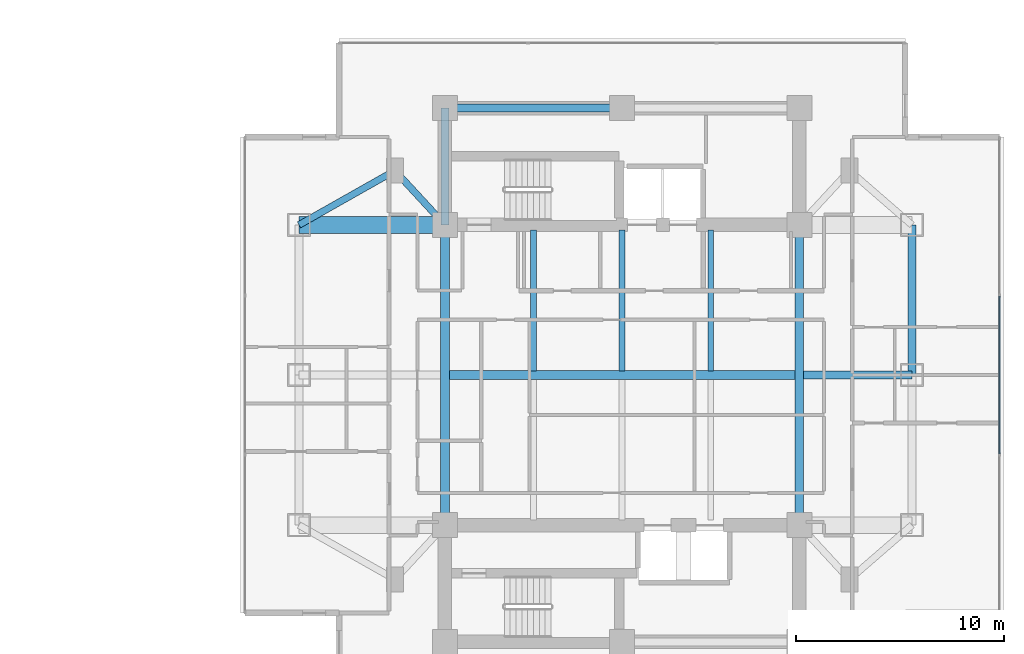
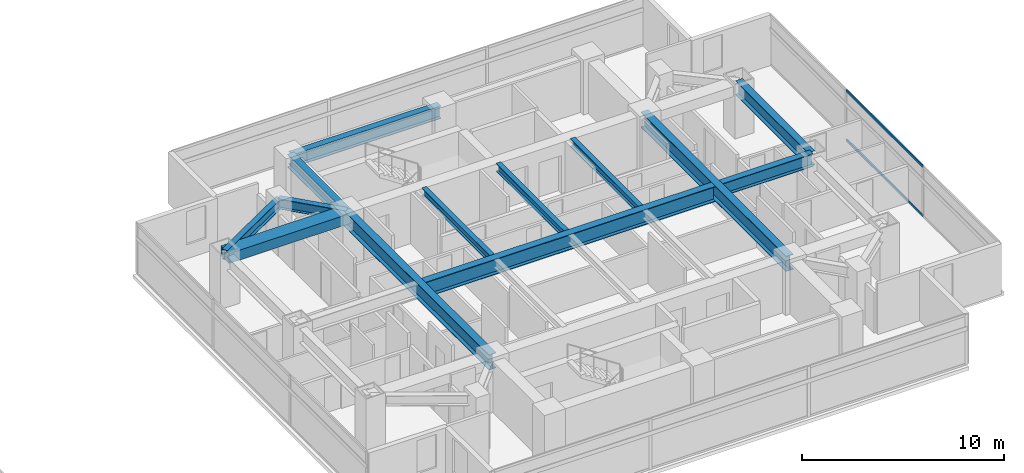
# One storey, part 9 of 24: 13 beams, 2 members, 1 element without a shape of its own.
"""IFC4 building model written with IfcOpenShell, lengths in metres."""

from ifc_helpers import new_model, si_unit, direction, frame, origin, origin_2d, place, context, subcontext, project, spatial, rectangle, i_section, extrude, material, material_profile, profile_set, type_object, element, aggregate, save


model = new_model("IFC4")

# Units and contexts
model_context = context("Model", 3, precision=1e-05, world=origin(), true_north=direction((0.0, 1.0)))
body_context = subcontext(model_context, "Body", "Model", "MODEL_VIEW")
ifc_project = project(units=[si_unit("LENGTHUNIT", "METRE"), si_unit("AREAUNIT", "SQUARE_METRE"), si_unit("VOLUMEUNIT", "CUBIC_METRE"), si_unit("PLANEANGLEUNIT", "RADIAN"), si_unit("MASSUNIT", "GRAM", prefix="KILO")], contexts=[model_context])

# Site, building, storey
site_placement = place(None, origin())
site = spatial("IfcSite", under=ifc_project, at=site_placement, CompositionType="ELEMENT")
building_placement = place(site_placement, origin())
building = spatial("IfcBuilding", under=site, at=building_placement, Name="Mirazonda Arch Towers", CompositionType="ELEMENT")
storey_placement = place(building_placement, frame((0.0, 0.0, 101.60009765625)))
storey = spatial("IfcBuildingStorey", under=building, at=storey_placement, Name="L28", CompositionType="ELEMENT", Elevation=101.60009765625)

# Beams
ifc_material_1 = material(Name="Steel ASTM A992 Grade 50", Category="steel")
ifc_material_profile_1 = material_profile(ifc_material_1, i_section(OverallWidth=0.39990234375, OverallDepth=0.85595703125, WebThickness=0.018310546875, FlangeThickness=0.029296875, at=origin_2d()), Name="W33X201")
ifc_profile_set_1 = profile_set([ifc_material_profile_1], Name="Steel ASTM A992 Grade 50")
beam_type_1 = type_object("IfcBeamType", Name="BM-EXT-W33X201", PredefinedType="USERDEFINED", material=ifc_profile_set_1)
beam_1_placement = place(storey_placement, frame((90.39990234375, 28.0, 2.65185546875), z_axis=(0.0, 1.0, 0.0), x_axis=(-1.0, 0.0, 0.0)))
element("IfcBeam", 1, at=beam_1_placement, inside=storey, type_object=beam_type_1, Name="L28 Floor Beam BM-T2-L28-NS-E-28", ObjectType="GIRDER", PredefinedType="USERDEFINED", context=body_context, shape_type="SweptSolid", body=[
    extrude(i_section(OverallWidth=0.39990234375, OverallDepth=0.85595703125, WebThickness=0.018310546875, FlangeThickness=0.029296875, at=origin_2d()), origin(), (0.0, 0.0, 1.0), 7.199951171875),
])
ifc_material_profile_2 = material_profile(ifc_material_1, i_section(OverallWidth=0.280029296875, OverallDepth=0.462890625, WebThickness=0.0107421875, FlangeThickness=0.017333984375, at=origin_2d()), Name="W18X76")
ifc_profile_set_2 = profile_set([ifc_material_profile_2], Name="Steel ASTM A992 Grade 50")
beam_type_2 = type_object("IfcBeamType", Name="BM-INT-W18X76", PredefinedType="JOIST", material=ifc_profile_set_2)
for number, where, z_axis, x_axis, name in (
    (2, (72.25, 28.205078125, 2.848388671875), (0.0, 1.0, 0.0), (-1.0, 0.0, 0.0), "L28 Floor Beam BM-T2-L28-J-722-28"),
    (3, (76.5, 28.205078125, 2.848388671875), (0.0, 1.0, 0.0), (-1.0, 0.0, 0.0), "L28 Floor Beam BM-T2-L28-J-765-28"),
    (4, (80.75, 28.205078125, 2.848388671875), (0.0, 1.0, 0.0), (-1.0, 0.0, 0.0), "L28 Floor Beam BM-T2-L28-J-807-28"),
):
    element("IfcBeam", number, at=place(storey_placement, frame(where, z_axis=z_axis, x_axis=x_axis)), inside=storey, type_object=beam_type_2, Name=name, PredefinedType="JOIST", context=body_context, shape_type="SweptSolid", body=[
        extrude(i_section(OverallWidth=0.280029296875, OverallDepth=0.462890625, WebThickness=0.0107421875, FlangeThickness=0.017333984375, at=origin_2d()), origin(), (0.0, 0.0, 1.0), 6.7548828125),
    ])
ifc_material_profile_3 = material_profile(ifc_material_1, i_section(OverallWidth=0.324951171875, OverallDepth=0.615966796875, WebThickness=0.013916015625, FlangeThickness=0.021484375, at=origin_2d()), Name="W24X117")
ifc_profile_set_3 = profile_set([ifc_material_profile_3], Name="Steel ASTM A992 Grade 50")
beam_type_3 = type_object("IfcBeamType", Name="BM-INT-W24X117", PredefinedType="BEAM", material=ifc_profile_set_3)
beam_2_placement = place(storey_placement, frame((65.60009765625, 37.800048828125, 2.77197265625), z_axis=(0.678251444854, -0.734829897019, 0.0), x_axis=(0.734829897019, 0.678251444854, 0.0)))
element("IfcBeam", 5, at=beam_2_placement, inside=storey, type_object=beam_type_3, Name="L28 Floor Beam BM-T2-L28-PL-NW1", PredefinedType="BEAM", context=body_context, shape_type="SweptSolid", body=[
    extrude(i_section(OverallWidth=0.324951171875, OverallDepth=0.615966796875, WebThickness=0.013916015625, FlangeThickness=0.021484375, at=origin_2d()), origin(), (0.0, 0.0, 1.0), 3.538330078125),
])
beam_3_placement = place(storey_placement, frame((65.60009765625, 37.800048828125, 2.77197265625), z_axis=(-0.870559396632, -0.492063346467, 0.0), x_axis=(0.492063346467, -0.870559396632, 0.0)))
element("IfcBeam", 6, at=beam_3_placement, inside=storey, type_object=beam_type_3, Name="L28 Floor Beam BM-T2-L28-PL-NW2", PredefinedType="BEAM", context=body_context, shape_type="SweptSolid", body=[
    extrude(i_section(OverallWidth=0.324951171875, OverallDepth=0.615966796875, WebThickness=0.013916015625, FlangeThickness=0.021484375, at=origin_2d()), origin(), (0.0, 0.0, 1.0), 5.2841796875),
])
ifc_material_profile_4 = material_profile(ifc_material_1, i_section(OverallWidth=0.381103515625, OverallDepth=0.77294921875, WebThickness=0.0166015625, FlangeThickness=0.027099609375, at=origin_2d()), Name="W30X173")
ifc_profile_set_4 = profile_set([ifc_material_profile_4], Name="Steel ASTM A992 Grade 50")
beam_type_4 = type_object("IfcBeamType", Name="BM-INT-W30X173", PredefinedType="USERDEFINED", material=ifc_profile_set_4)
beam_4_placement = place(storey_placement, frame((68.0, 40.800048828125, 2.693359375), z_axis=(1.0, 0.0, 0.0), x_axis=(0.0, 1.0, 0.0)))
element("IfcBeam", 7, at=beam_4_placement, inside=storey, type_object=beam_type_4, Name="L28 Floor Beam BM-T2-L28-CN1", ObjectType="GIRDER", PredefinedType="USERDEFINED", context=body_context, shape_type="SweptSolid", body=[
    extrude(i_section(OverallWidth=0.381103515625, OverallDepth=0.77294921875, WebThickness=0.0166015625, FlangeThickness=0.027099609375, at=origin_2d()), origin(), (0.0, 0.0, 1.0), 8.5),
])
beam_5_placement = place(storey_placement, frame((68.0, 35.199951171875, 2.693359375), z_axis=(0.0, 1.0, 0.0), x_axis=(-1.0, 0.0, 0.0)))
element("IfcBeam", 8, at=beam_5_placement, inside=storey, type_object=beam_type_4, Name="L28 Floor Beam BM-T2-L28-CNW", ObjectType="GIRDER", PredefinedType="USERDEFINED", context=body_context, shape_type="SweptSolid", body=[
    extrude(i_section(OverallWidth=0.381103515625, OverallDepth=0.77294921875, WebThickness=0.0166015625, FlangeThickness=0.027099609375, at=origin_2d()), origin(), (0.0, 0.0, 1.0), 5.60009765625),
])
beam_6_placement = place(storey_placement, frame((85.208984375, 28.0, 2.693359375), z_axis=(1.0, 0.0, 0.0), x_axis=(0.0, 1.0, 0.0)))
element("IfcBeam", 9, at=beam_6_placement, inside=storey, type_object=beam_type_4, Name="L28 Floor Beam BM-T2-L28-GE2", ObjectType="GIRDER", PredefinedType="USERDEFINED", context=body_context, shape_type="SweptSolid", body=[
    extrude(i_section(OverallWidth=0.381103515625, OverallDepth=0.77294921875, WebThickness=0.0166015625, FlangeThickness=0.027099609375, at=origin_2d()), origin(), (0.0, 0.0, 1.0), 5.19091796875),
])
ifc_material_profile_5 = material_profile(ifc_material_1, i_section(OverallWidth=0.41796875, OverallDepth=0.927001953125, WebThickness=0.019287109375, FlangeThickness=0.031982421875, at=origin_2d()), Name="W36X231")
ifc_profile_set_5 = profile_set([ifc_material_profile_5], Name="Steel ASTM A992 Grade 50")
beam_type_5 = type_object("IfcBeamType", Name="BM-INT-W36X231", PredefinedType="USERDEFINED", material=ifc_profile_set_5)
beam_7_placement = place(storey_placement, frame((68.208984375, 28.0, 2.616455078125), z_axis=(1.0, 0.0, 0.0), x_axis=(0.0, 1.0, 0.0)))
element("IfcBeam", 10, at=beam_7_placement, inside=storey, type_object=beam_type_5, Name="L28 Floor Beam BM-T2-L28-GC2", ObjectType="GIRDER", PredefinedType="USERDEFINED", context=body_context, shape_type="SweptSolid", body=[
    extrude(i_section(OverallWidth=0.41796875, OverallDepth=0.927001953125, WebThickness=0.019287109375, FlangeThickness=0.031982421875, at=origin_2d()), origin(), (0.0, 0.0, 1.0), 16.58203125),
])
for number, where, z_axis, x_axis, name in (
    (11, (68.0, 20.800048828125, 2.616455078125), (0.0, 1.0, 0.0), (-1.0, 0.0, 0.0), "L28 Floor Beam BM-T2-L28-NS-CW-FULL"),
    (12, (85.0, 20.800048828125, 2.616455078125), (0.0, 1.0, 0.0), (-1.0, 0.0, 0.0), "L28 Floor Beam BM-T2-L28-NS-CE-FULL"),
):
    element("IfcBeam", number, at=place(storey_placement, frame(where, z_axis=z_axis, x_axis=x_axis)), inside=storey, type_object=beam_type_5, Name=name, ObjectType="GIRDER", PredefinedType="USERDEFINED", context=body_context, shape_type="SweptSolid", body=[
        extrude(i_section(OverallWidth=0.41796875, OverallDepth=0.927001953125, WebThickness=0.019287109375, FlangeThickness=0.031982421875, at=origin_2d()), origin(), (0.0, 0.0, 1.0), 14.39990234375),
    ])
ifc_material_2 = material(Name="Concrete C60/75", Category="concrete")
ifc_material_profile_6 = material_profile(ifc_material_2, rectangle(XDim=0.800048828125, YDim=0.60009765625, at=origin_2d()), Name="RCCB800x600")
ifc_profile_set_6 = profile_set([ifc_material_profile_6], Name="Concrete C60/75")
beam_type_6 = type_object("IfcBeamType", Name="CB-INT-RCCB800x600", PredefinedType="SPANDREL", material=ifc_profile_set_6)
beam_8_placement = place(storey_placement, frame((61.0, 35.199951171875, 2.77978515625), z_axis=(1.0, 0.0, 0.0), x_axis=(0.0, 1.0, 0.0)))
element("IfcBeam", 13, at=beam_8_placement, inside=storey, type_object=beam_type_6, Name="L28 Floor Beam CBC-T2-L28-NW", PredefinedType="SPANDREL", context=body_context, shape_type="SweptSolid", body=[
    extrude(rectangle(XDim=0.800048828125, YDim=0.60009765625, at=origin_2d()), origin(), (0.0, 0.0, 1.0), 7.0),
])

# Curtain wall, members
ifc_material_3 = material(Name="Anodised Aluminium and Low-E Glass", Category="aluminium")
curtain_wall_type = type_object("IfcCurtainWallType", Name="CW-HTL-UNIT", PredefinedType="NOTDEFINED", material=ifc_material_3)
curtain_wall_placement = place(storey_placement, origin())
curtain_wall = element("IfcCurtainWall", 14, at=curtain_wall_placement, inside=storey, type_object=curtain_wall_type, Name="L28 T2 E Facade CW-L28-T2-E", PredefinedType="NOTDEFINED")
ifc_material_4 = material(Name="Anodised Aluminium Alloy", Category="aluminium")
ifc_material_profile_7 = material_profile(ifc_material_4, rectangle(XDim=0.074951171875, YDim=0.14501953125, at=origin_2d()), Name="ALU-TRAN-75x145")
ifc_profile_set_7 = profile_set([ifc_material_profile_7], Name="Anodised Aluminium Alloy")
member_type = type_object("IfcMemberType", Name="TRAN-CW-HTL-UNIT", PredefinedType="USERDEFINED", material=ifc_profile_set_7)
member_1_placement = place(storey_placement, frame((94.594482421875, 24.232666015625, 0.037353515625), z_axis=(0.0, 1.0, 0.0), x_axis=(-1.0, 0.0, 0.0)))
member_1 = element("IfcMember", 15, at=member_1_placement, type_object=member_type, Name="CW-112 transom 2.1", ObjectType="TRANSOM", PredefinedType="USERDEFINED", context=body_context, shape_type="SweptSolid", body=[
    extrude(rectangle(XDim=0.074951171875, YDim=0.14501953125, at=origin_2d()), origin(), (0.0, 0.0, 1.0), 7.53466796875),
])
member_2_placement = place(storey_placement, frame((94.594482421875, 24.232666015625, 3.0224609375), z_axis=(0.0, 1.0, 0.0), x_axis=(-1.0, 0.0, 0.0)))
member_2 = element("IfcMember", 16, at=member_2_placement, type_object=member_type, Name="CW-112 transom 2.2", ObjectType="TRANSOM", PredefinedType="USERDEFINED", context=body_context, shape_type="SweptSolid", body=[
    extrude(rectangle(XDim=0.074951171875, YDim=0.14501953125, at=origin_2d()), origin(), (0.0, 0.0, 1.0), 7.53466796875),
])
aggregate(curtain_wall, [member_1, member_2])

save(model, "model.ifc")
